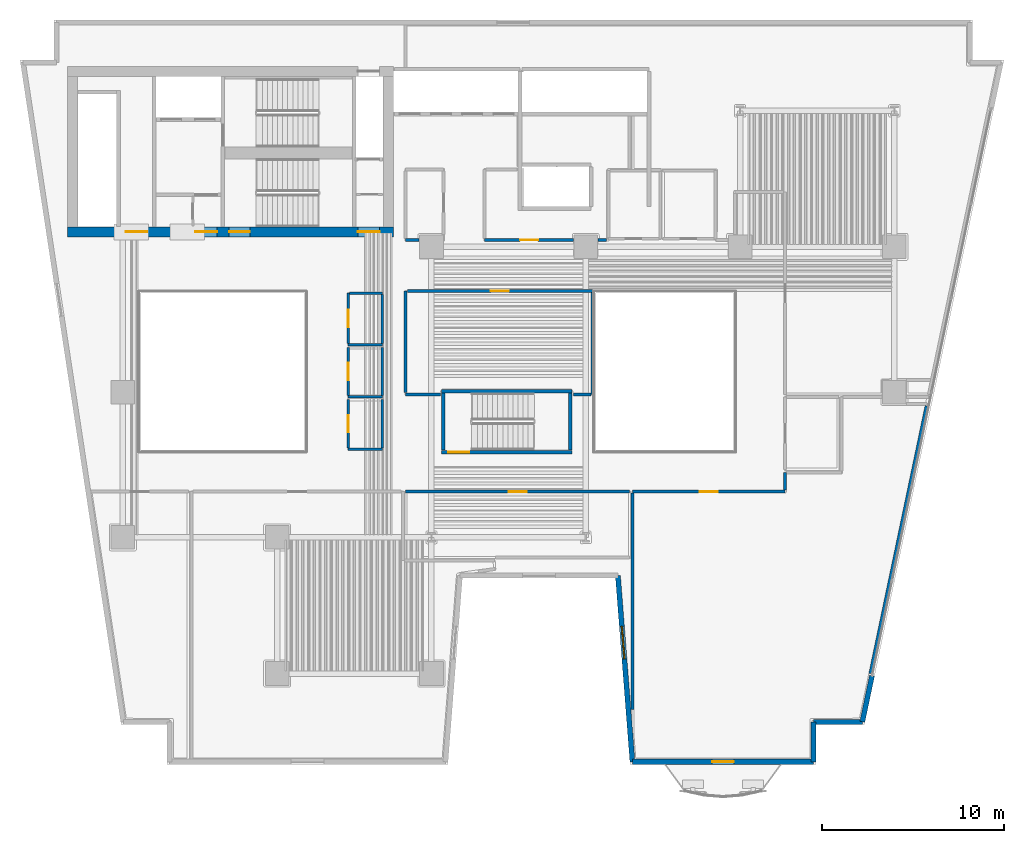
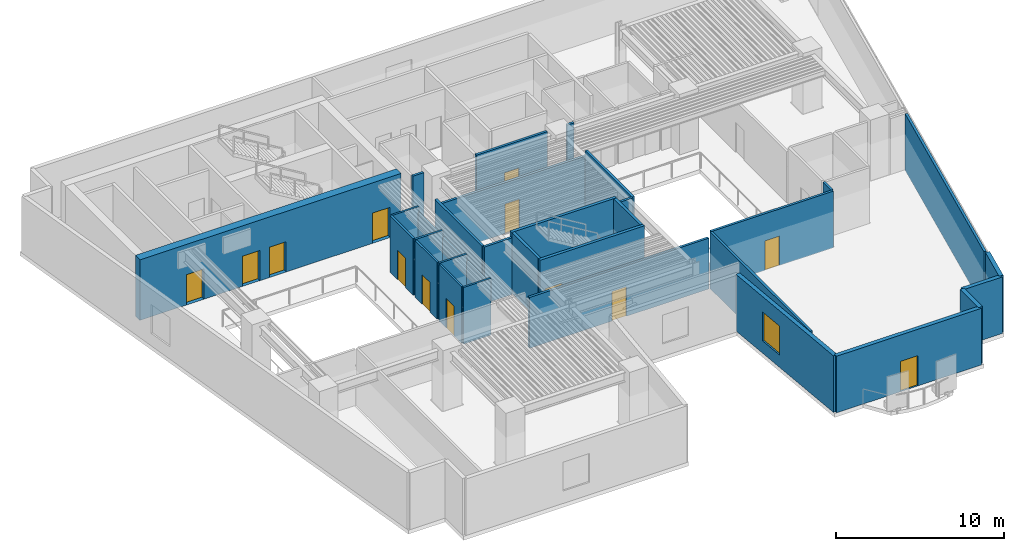
# One storey, part 4 of 12: 33 walls, 13 doors, 1 window, 14 openings.
"""IFC4 building model written with IfcOpenShell, lengths in metres."""

from ifc_helpers import new_model, si_unit, direction, frame, frame_2d, origin, place, context, subcontext, project, spatial, rectangle, extrude, material, layer, layer_set, type_object, element, fill, save


model = new_model("IFC4")

# Units and contexts
model_context = context("Model", 3, precision=1e-05, world=origin(), true_north=direction((0.0, 1.0)))
body_context = subcontext(model_context, "Body", "Model", "MODEL_VIEW")
ifc_project = project(units=[si_unit("LENGTHUNIT", "METRE"), si_unit("AREAUNIT", "SQUARE_METRE"), si_unit("VOLUMEUNIT", "CUBIC_METRE"), si_unit("PLANEANGLEUNIT", "RADIAN"), si_unit("MASSUNIT", "GRAM", prefix="KILO")], contexts=[model_context])

# Site, building, storey
site_placement = place(None, origin())
site = spatial("IfcSite", under=ifc_project, at=site_placement, CompositionType="ELEMENT")
building_placement = place(site_placement, origin())
building = spatial("IfcBuilding", under=site, at=building_placement, Name="Caeloran Harvest Quay", CompositionType="ELEMENT")
storey_placement = place(building_placement, frame((0.0, 0.0, 97.39990234375)))
storey = spatial("IfcBuildingStorey", under=building, at=storey_placement, Name="L22", CompositionType="ELEMENT", Elevation=97.39990234375)

# Walls
ifc_material_1 = material(Name="Precast concrete C50/60", Category="concrete")
ifc_layer_1 = layer(ifc_material_1, 0.280029296875, Name="Precast concrete C50/60")
ifc_layer_set_1 = layer_set([ifc_layer_1], Name="Precast concrete C50/60")
wall_type_1 = type_object("IfcWallType", Name="ENV-WALL-EW-280", PredefinedType="STANDARD", material=ifc_layer_set_1)
wall_1_placement = place(storey_placement, frame((49.77001953125, 7.384521484375, 0.0), z_axis=(0.0, 0.0, 1.0), x_axis=(-0.205551409765, -0.978646319128, 0.0)))
element("IfcWall", 1, at=wall_1_placement, inside=storey, type_object=wall_type_1, Name="L22 Exterior Facade Corner Pier Wall 9B", PredefinedType="STANDARD", context=body_context, shape_type="SweptSolid", body=[
    extrude(rectangle(XDim=2.599853515625, YDim=0.280029296875, at=frame_2d((1.2998046875, 0.0))), origin(), (0.0, 0.0, 1.0), 4.114990234375),
])
wall_2_placement = place(storey_placement, frame((49.235595703125, 4.840087890625, 0.0), z_axis=(0.0, 0.0, 1.0), x_axis=(-1.0, 0.0, 0.0)))
element("IfcWall", 2, at=wall_2_placement, inside=storey, type_object=wall_type_1, Name="L22 Exterior Precast Concrete Facade Wall 10", PredefinedType="STANDARD", context=body_context, shape_type="SweptSolid", body=[
    extrude(rectangle(XDim=2.6884765625, YDim=0.280029296875, at=frame_2d((1.34423828125, 0.0))), origin(), (0.0, 0.0, 1.0), 4.114990234375),
])
wall_3_placement = place(storey_placement, frame((46.547119140625, 4.840087890625, 0.0), z_axis=(0.0, 0.0, 1.0), x_axis=(0.0, -1.0, 0.0)))
element("IfcWall", 3, at=wall_3_placement, inside=storey, type_object=wall_type_1, Name="L22 Exterior Precast Concrete Facade Wall 11", PredefinedType="STANDARD", context=body_context, shape_type="SweptSolid", body=[
    extrude(rectangle(XDim=2.2001953125, YDim=0.280029296875, at=frame_2d((1.10009765625, 0.0))), origin(), (0.0, 0.0, 1.0), 4.114990234375),
])

# Wall, opening, door
wall_4_placement = place(storey_placement, frame((46.547119140625, 2.639892578125, 0.0), z_axis=(0.0, 0.0, 1.0), x_axis=(-1.0, 0.0, 0.0)))
wall_4 = element("IfcWall", 4, at=wall_4_placement, inside=storey, type_object=wall_type_1, Name="L22 Exterior Precast Concrete Facade Wall 12", PredefinedType="STANDARD", context=body_context, shape_type="SweptSolid", body=[
    extrude(rectangle(XDim=9.97705078125, YDim=0.280029296875, at=frame_2d((4.988525390625, 0.0))), origin(), (0.0, 0.0, 1.0), 4.114990234375),
])
opening_1_placement = place(wall_4_placement, frame((4.387939453125, 0.0, 0.0)))
opening_1 = element("IfcOpeningElement", 5, at=opening_1_placement, cuts=wall_4, Name="Opening BD-01", PredefinedType="OPENING", context=body_context, shape_type="SweptSolid", body=[
    extrude(rectangle(XDim=1.199951171875, YDim=2.199951171875, at=frame_2d((0.60009765625, 1.10009765625))), frame((0.0, 0.14990234375, 0.0), z_axis=(0.0, -1.0, 0.0), x_axis=(1.0, 0.0, 0.0)), (0.0, 0.0, 1.0), 0.300048828125),
])
ifc_material_2 = material(Name="Thermally Broken Powder-Coated Aluminium and Safety Glass", Category="aluminium")
door_type_1 = type_object("IfcDoorType", Name="EXTDOOR-BD-01", OperationType="NOTDEFINED", PredefinedType="DOOR", material=ifc_material_2)
door_1_placement = place(opening_1_placement, origin())
door_1 = element("IfcDoor", 6, at=door_1_placement, inside=storey, type_object=door_type_1, Name="L22 Planted Balcony Glazed Access Door", OperationType="SINGLE_SWING_LEFT", OverallHeight=2.199951171875, OverallWidth=1.199951171875, PredefinedType="DOOR", context=body_context, shape_type="SweptSolid", body=[
    extrude(rectangle(XDim=1.199951171875, YDim=2.199951171875, at=frame_2d((0.60009765625, 1.10009765625))), frame((0.0, 0.02490234375, 0.0), z_axis=(0.0, -1.0, 0.0), x_axis=(1.0, 0.0, 0.0)), (0.0, 0.0, 1.0), 0.050048828125),
])
fill(opening_1, door_1)

# Wall, opening, window
wall_5_placement = place(storey_placement, frame((36.570068359375, 2.639892578125, 0.0), z_axis=(0.0, 0.0, 1.0), x_axis=(-0.077816860153, 0.996967670627, 0.0)))
wall_5 = element("IfcWall", 7, at=wall_5_placement, inside=storey, type_object=wall_type_1, Name="L22 Exterior Precast Concrete Facade Wall 13", PredefinedType="STANDARD", context=body_context, shape_type="SweptSolid", body=[
    extrude(rectangle(XDim=10.28125, YDim=0.280029296875, at=frame_2d((5.140625, 0.0))), origin(), (0.0, 0.0, 1.0), 4.114990234375),
])
opening_2_placement = place(wall_5_placement, frame((5.679931640625, 0.0, 0.89990234375)))
opening_2 = element("IfcOpeningElement", 8, at=opening_2_placement, cuts=wall_5, Name="Opening W-01", PredefinedType="OPENING", context=body_context, shape_type="SweptSolid", body=[
    extrude(rectangle(XDim=1.800048828125, YDim=2.10009765625, at=frame_2d((0.89990234375, 1.050048828125))), frame((0.0, 0.14990234375, 0.0), z_axis=(0.0, -1.0, 0.0), x_axis=(1.0, 0.0, 0.0)), (0.0, 0.0, 1.0), 0.300048828125),
])
ifc_material_3 = material(Name="Aluminium-Framed Low-E Laminated Glass", Category="aluminium")
window_type = type_object("IfcWindowType", Name="WIN-W-01", PartitioningType="SINGLE_PANEL", PredefinedType="WINDOW", material=ifc_material_3)
window_placement = place(opening_2_placement, origin())
window = element("IfcWindow", 9, at=window_placement, inside=storey, type_object=window_type, Name="L22 Facade Punched Window W-01", OverallHeight=2.10009765625, OverallWidth=1.800048828125, PartitioningType="SINGLE_PANEL", PredefinedType="WINDOW", context=body_context, shape_type="SweptSolid", body=[
    extrude(rectangle(XDim=1.800048828125, YDim=2.10009765625, at=frame_2d((0.89990234375, 1.050048828125))), frame((0.0, 0.030029296875, 0.0), z_axis=(0.0, -1.0, 0.0), x_axis=(1.0, 0.0, 0.0)), (0.0, 0.0, 1.0), 0.06005859375),
])
fill(opening_2, window)

# Wall
ifc_material_4 = material(Name="Moisture-Resistant Cement-Board Sanitary Partition", Category="gypsum")
ifc_layer_2 = layer(ifc_material_4, 0.139892578125, Name="Moisture-Resistant Cement-Board Sanitary Partition")
ifc_layer_set_2 = layer_set([ifc_layer_2], Name="Moisture-Resistant Cement-Board Sanitary Partition")
wall_type_2 = type_object("IfcWallType", Name="INT-WALL-PW-140", PredefinedType="PARTITIONING", material=ifc_layer_set_2)
wall_6_placement = place(storey_placement, frame((22.800048828125, 25.60009765625, 0.0), z_axis=(0.0, 0.0, 1.0), x_axis=(-1.0, 0.0, 0.0)))
element("IfcWall", 10, at=wall_6_placement, inside=storey, type_object=wall_type_2, Name="L22 Male Washroom WC Partition Wall", PredefinedType="PARTITIONING", context=body_context, shape_type="SweptSolid", body=[
    extrude(rectangle(XDim=1.89013671875, YDim=0.139892578125, at=frame_2d((0.945068359375, 0.0))), origin(), (0.0, 0.0, 1.0), 4.114990234375),
])

# Wall, opening, door
wall_7_placement = place(storey_placement, frame((20.909912109375, 25.675048828125, 0.0), z_axis=(0.0, 0.0, 1.0), x_axis=(0.0, 1.0, 0.0)))
wall_7 = element("IfcWall", 11, at=wall_7_placement, inside=storey, type_object=wall_type_2, Name="L22 Male Washroom WC Partition Wall", PredefinedType="PARTITIONING", context=body_context, shape_type="SweptSolid", body=[
    extrude(rectangle(XDim=2.77490234375, YDim=0.139892578125, at=frame_2d((1.387451171875, 0.0))), origin(), (0.0, 0.0, 1.0), 4.114990234375),
])
opening_3_placement = place(wall_7_placement, frame((0.91259765625, 0.0, 0.0)))
opening_3 = element("IfcOpeningElement", 12, at=opening_3_placement, cuts=wall_7, Name="Opening WC-01", PredefinedType="OPENING", context=body_context, shape_type="SweptSolid", body=[
    extrude(rectangle(XDim=0.949951171875, YDim=2.14990234375, at=frame_2d((0.47509765625, 1.074951171875))), frame((0.0, 0.080078125, 0.0), z_axis=(0.0, -1.0, 0.0), x_axis=(1.0, 0.0, 0.0)), (0.0, 0.0, 1.0), 0.159912109375),
])
ifc_material_5 = material(Name="High-Pressure Laminate Moisture-Resistant Timber", Category="wood")
door_type_2 = type_object("IfcDoorType", Name="INTDOOR-WC-01", OperationType="NOTDEFINED", PredefinedType="DOOR", material=ifc_material_5)
door_2_placement = place(opening_3_placement, origin())
door_2 = element("IfcDoor", 13, at=door_2_placement, inside=storey, type_object=door_type_2, Name="L22 Male Washroom WC Access Door", OperationType="SINGLE_SWING_RIGHT", OverallHeight=2.14990234375, OverallWidth=0.949951171875, PredefinedType="DOOR", context=body_context, shape_type="SweptSolid", body=[
    extrude(rectangle(XDim=0.949951171875, YDim=2.14990234375, at=frame_2d((0.47509765625, 1.074951171875))), frame((0.0, 0.02490234375, 0.0), z_axis=(0.0, -1.0, 0.0), x_axis=(1.0, 0.0, 0.0)), (0.0, 0.0, 1.0), 0.050048828125),
])
fill(opening_3, door_2)

# Walls
wall_8_placement = place(storey_placement, frame((20.985107421875, 28.449951171875, 0.0), z_axis=(0.0, 0.0, 1.0), x_axis=(1.0, 0.0, 0.0)))
element("IfcWall", 14, at=wall_8_placement, inside=storey, type_object=wall_type_2, Name="L22 Male Washroom WC Partition Wall", PredefinedType="PARTITIONING", context=body_context, shape_type="SweptSolid", body=[
    extrude(rectangle(XDim=1.81494140625, YDim=0.139892578125, at=frame_2d((0.907470703125, 0.0))), origin(), (0.0, 0.0, 1.0), 4.114990234375),
])
wall_9_placement = place(storey_placement, frame((22.800048828125, 28.375, 0.0), z_axis=(0.0, 0.0, 1.0), x_axis=(0.0, -1.0, 0.0)))
element("IfcWall", 15, at=wall_9_placement, inside=storey, type_object=wall_type_2, Name="L22 Male Washroom WC Partition Wall", PredefinedType="PARTITIONING", context=body_context, shape_type="SweptSolid", body=[
    extrude(rectangle(XDim=2.699951171875, YDim=0.139892578125, at=frame_2d((1.35009765625, 0.0))), origin(), (0.0, 0.0, 1.0), 3.7001953125),
])
wall_10_placement = place(storey_placement, frame((22.800048828125, 22.75, 0.0), z_axis=(0.0, 0.0, 1.0), x_axis=(-1.0, 0.0, 0.0)))
element("IfcWall", 16, at=wall_10_placement, inside=storey, type_object=wall_type_2, Name="L22 Female Washroom WC Partition Wall", PredefinedType="PARTITIONING", context=body_context, shape_type="SweptSolid", body=[
    extrude(rectangle(XDim=1.89013671875, YDim=0.139892578125, at=frame_2d((0.945068359375, 0.0))), origin(), (0.0, 0.0, 1.0), 4.114990234375),
])

# Wall, opening, door
wall_11_placement = place(storey_placement, frame((20.909912109375, 22.824951171875, 0.0), z_axis=(0.0, 0.0, 1.0), x_axis=(0.0, 1.0, 0.0)))
wall_11 = element("IfcWall", 17, at=wall_11_placement, inside=storey, type_object=wall_type_2, Name="L22 Female Washroom WC Partition Wall", PredefinedType="PARTITIONING", context=body_context, shape_type="SweptSolid", body=[
    extrude(rectangle(XDim=2.625, YDim=0.139892578125, at=frame_2d((1.3125, 0.0))), origin(), (0.0, 0.0, 1.0), 4.114990234375),
])
opening_4_placement = place(wall_11_placement, frame((0.83740234375, 0.0, 0.0)))
opening_4 = element("IfcOpeningElement", 18, at=opening_4_placement, cuts=wall_11, Name="Opening WC-01", PredefinedType="OPENING", context=body_context, shape_type="SweptSolid", body=[
    extrude(rectangle(XDim=0.949951171875, YDim=2.14990234375, at=frame_2d((0.47509765625, 1.074951171875))), frame((0.0, 0.080078125, 0.0), z_axis=(0.0, -1.0, 0.0), x_axis=(1.0, 0.0, 0.0)), (0.0, 0.0, 1.0), 0.159912109375),
])
door_3_placement = place(opening_4_placement, origin())
door_3 = element("IfcDoor", 19, at=door_3_placement, inside=storey, type_object=door_type_2, Name="L22 Female Washroom WC Access Door", OperationType="SINGLE_SWING_LEFT", OverallHeight=2.14990234375, OverallWidth=0.949951171875, PredefinedType="DOOR", context=body_context, shape_type="SweptSolid", body=[
    extrude(rectangle(XDim=0.949951171875, YDim=2.14990234375, at=frame_2d((0.47509765625, 1.074951171875))), frame((0.0, 0.02490234375, 0.0), z_axis=(0.0, -1.0, 0.0), x_axis=(1.0, 0.0, 0.0)), (0.0, 0.0, 1.0), 0.050048828125),
])
fill(opening_4, door_3)

# Walls
wall_12_placement = place(storey_placement, frame((22.800048828125, 25.449951171875, 0.0), z_axis=(0.0, 0.0, 1.0), x_axis=(0.0, -1.0, 0.0)))
element("IfcWall", 20, at=wall_12_placement, inside=storey, type_object=wall_type_2, Name="L22 Female Washroom WC Partition Wall", PredefinedType="PARTITIONING", context=body_context, shape_type="SweptSolid", body=[
    extrude(rectangle(XDim=2.625, YDim=0.139892578125, at=frame_2d((1.3125, 0.0))), origin(), (0.0, 0.0, 1.0), 3.7001953125),
])
wall_13_placement = place(storey_placement, frame((22.800048828125, 19.85009765625, 0.0), z_axis=(0.0, 0.0, 1.0), x_axis=(-1.0, 0.0, 0.0)))
element("IfcWall", 21, at=wall_13_placement, inside=storey, type_object=wall_type_2, Name="L22 Accessible Unisex Washroom WC Partition Wall", PredefinedType="PARTITIONING", context=body_context, shape_type="SweptSolid", body=[
    extrude(rectangle(XDim=1.89013671875, YDim=0.139892578125, at=frame_2d((0.945068359375, 0.0))), origin(), (0.0, 0.0, 1.0), 4.114990234375),
])

# Wall, opening, door
wall_14_placement = place(storey_placement, frame((20.909912109375, 19.925048828125, 0.0), z_axis=(0.0, 0.0, 1.0), x_axis=(0.0, 1.0, 0.0)))
wall_14 = element("IfcWall", 22, at=wall_14_placement, inside=storey, type_object=wall_type_2, Name="L22 Accessible Unisex Washroom WC Partition Wall", PredefinedType="PARTITIONING", context=body_context, shape_type="SweptSolid", body=[
    extrude(rectangle(XDim=2.675048828125, YDim=0.139892578125, at=frame_2d((1.33740234375, 0.0))), origin(), (0.0, 0.0, 1.0), 4.114990234375),
])
opening_5_placement = place(wall_14_placement, frame((0.862548828125, 0.0, 0.0)))
opening_5 = element("IfcOpeningElement", 23, at=opening_5_placement, cuts=wall_14, Name="Opening WC-01", PredefinedType="OPENING", context=body_context, shape_type="SweptSolid", body=[
    extrude(rectangle(XDim=0.949951171875, YDim=2.14990234375, at=frame_2d((0.47509765625, 1.074951171875))), frame((0.0, 0.080078125, 0.0), z_axis=(0.0, -1.0, 0.0), x_axis=(1.0, 0.0, 0.0)), (0.0, 0.0, 1.0), 0.159912109375),
])
door_4_placement = place(opening_5_placement, origin())
door_4 = element("IfcDoor", 24, at=door_4_placement, inside=storey, type_object=door_type_2, Name="L22 Accessible Unisex Washroom WC Access Door", OperationType="SINGLE_SWING_RIGHT", OverallHeight=2.14990234375, OverallWidth=0.949951171875, PredefinedType="DOOR", context=body_context, shape_type="SweptSolid", body=[
    extrude(rectangle(XDim=0.949951171875, YDim=2.14990234375, at=frame_2d((0.47509765625, 1.074951171875))), frame((0.0, 0.02490234375, 0.0), z_axis=(0.0, -1.0, 0.0), x_axis=(1.0, 0.0, 0.0)), (0.0, 0.0, 1.0), 0.050048828125),
])
fill(opening_5, door_4)

# Wall
wall_15_placement = place(storey_placement, frame((22.800048828125, 22.60009765625, 0.0), z_axis=(0.0, 0.0, 1.0), x_axis=(0.0, -1.0, 0.0)))
element("IfcWall", 25, at=wall_15_placement, inside=storey, type_object=wall_type_2, Name="L22 Accessible Unisex Washroom WC Partition Wall", PredefinedType="PARTITIONING", context=body_context, shape_type="SweptSolid", body=[
    extrude(rectangle(XDim=2.675048828125, YDim=0.139892578125, at=frame_2d((1.33740234375, 0.0))), origin(), (0.0, 0.0, 1.0), 3.7001953125),
])

# Wall, opening, door
ifc_material_6 = material(Name="Autoclaved Aerated Concrete Blockwork", Category="masonry")
ifc_layer_3 = layer(ifc_material_6, 0.1650390625, Name="Autoclaved Aerated Concrete Blockwork")
ifc_layer_set_3 = layer_set([ifc_layer_3], Name="Autoclaved Aerated Concrete Blockwork")
wall_type_3 = type_object("IfcWallType", Name="INT-WALL-PW-165", PredefinedType="PARTITIONING", material=ifc_layer_set_3)
wall_16_placement = place(storey_placement, frame((36.580078125, 17.52001953125, 0.0), z_axis=(0.0, 0.0, 1.0), x_axis=(1.0, 0.0, 0.0)))
wall_16 = element("IfcWall", 26, at=wall_16_placement, inside=storey, type_object=wall_type_3, Name="Biophilic Architecture Atelier Partition Wall", PredefinedType="PARTITIONING", context=body_context, shape_type="SweptSolid", body=[
    extrude(rectangle(XDim=8.39990234375, YDim=0.1650390625, at=frame_2d((4.199951171875, 0.0))), origin(), (0.0, 0.0, 1.0), 4.114990234375),
])
opening_6_placement = place(wall_16_placement, frame((3.699951171875, 0.0, 0.0)))
opening_6 = element("IfcOpeningElement", 27, at=opening_6_placement, cuts=wall_16, Name="Opening ID-01", PredefinedType="OPENING", context=body_context, shape_type="SweptSolid", body=[
    extrude(rectangle(XDim=1.0, YDim=2.14990234375, at=frame_2d((0.5, 1.074951171875))), frame((0.0, 0.092529296875, 0.0), z_axis=(0.0, -1.0, 0.0), x_axis=(1.0, 0.0, 0.0)), (0.0, 0.0, 1.0), 0.18505859375),
])
ifc_material_7 = material(Name="FSC Solid-Core Ash Timber and Acoustic Seal", Category="wood")
door_type_3 = type_object("IfcDoorType", Name="INTDOOR-ID-01", OperationType="NOTDEFINED", PredefinedType="DOOR", material=ifc_material_7)
door_5_placement = place(opening_6_placement, origin())
door_5 = element("IfcDoor", 28, at=door_5_placement, inside=storey, type_object=door_type_3, Name="Biophilic Architecture Atelier Access Door", OperationType="SINGLE_SWING_LEFT", OverallHeight=2.14990234375, OverallWidth=1.0, PredefinedType="DOOR", context=body_context, shape_type="SweptSolid", body=[
    extrude(rectangle(XDim=1.0, YDim=2.14990234375, at=frame_2d((0.5, 1.074951171875))), frame((0.0, 0.02490234375, 0.0), z_axis=(0.0, -1.0, 0.0), x_axis=(1.0, 0.0, 0.0)), (0.0, 0.0, 1.0), 0.050048828125),
])
fill(opening_6, door_5)

# Walls
wall_17_placement = place(storey_placement, frame((44.97998046875, 17.607421875, 0.0), z_axis=(0.0, 0.0, 1.0), x_axis=(0.0, 1.0, 0.0)))
element("IfcWall", 29, at=wall_17_placement, inside=storey, type_object=wall_type_3, Name="Biophilic Architecture Atelier Partition Wall", PredefinedType="PARTITIONING", context=body_context, shape_type="SweptSolid", body=[
    extrude(rectangle(XDim=0.962646484375, YDim=0.1650390625, at=frame_2d((0.4814453125, 0.0))), origin(), (0.0, 0.0, 1.0), 4.114990234375),
])
wall_18_placement = place(storey_placement, frame((52.769775390625, 22.24755859375, 0.0), z_axis=(0.0, 0.0, 1.0), x_axis=(-0.205582566906, -0.978639774475, 0.0)))
element("IfcWall", 30, at=wall_18_placement, inside=storey, type_object=wall_type_3, Name="Biophilic Architecture Atelier Partition Wall", PredefinedType="PARTITIONING", context=body_context, shape_type="SweptSolid", body=[
    extrude(rectangle(XDim=15.067626953125, YDim=0.1650390625, at=frame_2d((7.53369140625, 0.0))), origin(), (0.0, 0.0, 1.0), 4.114990234375),
])
wall_19_placement = place(storey_placement, frame((36.580078125, 5.525390625, 0.0), z_axis=(0.0, 0.0, 1.0), x_axis=(0.0, 1.0, 0.0)))
element("IfcWall", 31, at=wall_19_placement, inside=storey, type_object=wall_type_3, Name="Biophilic Architecture Atelier Partition Wall", PredefinedType="PARTITIONING", context=body_context, shape_type="SweptSolid", body=[
    extrude(rectangle(XDim=11.9072265625, YDim=0.1650390625, at=frame_2d((5.95361328125, 0.0))), origin(), (0.0, 0.0, 1.0), 4.114990234375),
])

# Wall, opening, door
wall_20_placement = place(storey_placement, frame((24.080078125, 17.52001953125, 0.0), z_axis=(0.0, 0.0, 1.0), x_axis=(1.0, 0.0, 0.0)))
wall_20 = element("IfcWall", 32, at=wall_20_placement, inside=storey, type_object=wall_type_3, Name="Client Briefing Conference Room Partition Wall", PredefinedType="PARTITIONING", context=body_context, shape_type="SweptSolid", body=[
    extrude(rectangle(XDim=12.33984375, YDim=0.1650390625, at=frame_2d((6.169921875, 0.0))), origin(), (0.0, 0.0, 1.0), 3.7001953125),
])
opening_7_placement = place(wall_20_placement, frame((5.669921875, 0.0, 0.0)))
opening_7 = element("IfcOpeningElement", 33, at=opening_7_placement, cuts=wall_20, Name="Opening ID-01", PredefinedType="OPENING", context=body_context, shape_type="SweptSolid", body=[
    extrude(rectangle(XDim=1.0, YDim=2.14990234375, at=frame_2d((0.5, 1.074951171875))), frame((0.0, 0.092529296875, 0.0), z_axis=(0.0, -1.0, 0.0), x_axis=(1.0, 0.0, 0.0)), (0.0, 0.0, 1.0), 0.18505859375),
])
door_6_placement = place(opening_7_placement, origin())
door_6 = element("IfcDoor", 34, at=door_6_placement, inside=storey, type_object=door_type_3, Name="Client Briefing Conference Room Access Door", OperationType="SINGLE_SWING_RIGHT", OverallHeight=2.14990234375, OverallWidth=1.0, PredefinedType="DOOR", context=body_context, shape_type="SweptSolid", body=[
    extrude(rectangle(XDim=1.0, YDim=2.14990234375, at=frame_2d((0.5, 1.074951171875))), frame((0.0, 0.02490234375, 0.0), z_axis=(0.0, -1.0, 0.0), x_axis=(1.0, 0.0, 0.0)), (0.0, 0.0, 1.0), 0.050048828125),
])
fill(opening_7, door_6)

# Walls
wall_21_placement = place(storey_placement, frame((25.98681640625, 22.8798828125, 0.0), z_axis=(0.0, 0.0, 1.0), x_axis=(-1.0, 0.0, 0.0)))
element("IfcWall", 35, at=wall_21_placement, inside=storey, type_object=wall_type_3, Name="Botanical Sketch Studio Partition Wall", PredefinedType="PARTITIONING", context=body_context, shape_type="SweptSolid", body=[
    extrude(rectangle(XDim=1.90673828125, YDim=0.1650390625, at=frame_2d((0.953369140625, 0.0))), origin(), (0.0, 0.0, 1.0), 4.114990234375),
])
wall_22_placement = place(storey_placement, frame((24.080078125, 22.967529296875, 0.0), z_axis=(0.0, 0.0, 1.0), x_axis=(0.0, 1.0, 0.0)))
element("IfcWall", 36, at=wall_22_placement, inside=storey, type_object=wall_type_3, Name="Botanical Sketch Studio Partition Wall", PredefinedType="PARTITIONING", context=body_context, shape_type="SweptSolid", body=[
    extrude(rectangle(XDim=5.6025390625, YDim=0.1650390625, at=frame_2d((2.80126953125, 0.0))), origin(), (0.0, 0.0, 1.0), 4.114990234375),
])

# Wall, opening, door
wall_23_placement = place(storey_placement, frame((24.16748046875, 28.570068359375, 0.0), z_axis=(0.0, 0.0, 1.0), x_axis=(1.0, 0.0, 0.0)))
wall_23 = element("IfcWall", 37, at=wall_23_placement, inside=storey, type_object=wall_type_3, Name="Botanical Sketch Studio Partition Wall", PredefinedType="PARTITIONING", context=body_context, shape_type="SweptSolid", body=[
    extrude(rectangle(XDim=10.20263671875, YDim=0.1650390625, at=frame_2d((5.101318359375, 0.0))), origin(), (0.0, 0.0, 1.0), 3.7001953125),
])
opening_8_placement = place(wall_23_placement, frame((4.601318359375, 0.0, 0.0)))
opening_8 = element("IfcOpeningElement", 38, at=opening_8_placement, cuts=wall_23, Name="Opening ID-01", PredefinedType="OPENING", context=body_context, shape_type="SweptSolid", body=[
    extrude(rectangle(XDim=1.0, YDim=2.14990234375, at=frame_2d((0.5, 1.074951171875))), frame((0.0, 0.092529296875, 0.0), z_axis=(0.0, -1.0, 0.0), x_axis=(1.0, 0.0, 0.0)), (0.0, 0.0, 1.0), 0.18505859375),
])
door_7_placement = place(opening_8_placement, origin())
door_7 = element("IfcDoor", 39, at=door_7_placement, inside=storey, type_object=door_type_3, Name="Botanical Sketch Studio Access Door", OperationType="SINGLE_SWING_RIGHT", OverallHeight=2.14990234375, OverallWidth=1.0, PredefinedType="DOOR", context=body_context, shape_type="SweptSolid", body=[
    extrude(rectangle(XDim=1.0, YDim=2.14990234375, at=frame_2d((0.5, 1.074951171875))), frame((0.0, 0.02490234375, 0.0), z_axis=(0.0, -1.0, 0.0), x_axis=(1.0, 0.0, 0.0)), (0.0, 0.0, 1.0), 0.050048828125),
])
fill(opening_8, door_7)

# Walls
wall_24_placement = place(storey_placement, frame((34.3701171875, 28.482421875, 0.0), z_axis=(0.0, 0.0, 1.0), x_axis=(0.0, -1.0, 0.0)))
element("IfcWall", 40, at=wall_24_placement, inside=storey, type_object=wall_type_3, Name="Botanical Sketch Studio Partition Wall", PredefinedType="PARTITIONING", context=body_context, shape_type="SweptSolid", body=[
    extrude(rectangle(XDim=5.6025390625, YDim=0.1650390625, at=frame_2d((2.80126953125, 0.0))), origin(), (0.0, 0.0, 1.0), 4.114990234375),
])
wall_25_placement = place(storey_placement, frame((34.282470703125, 22.8798828125, 0.0), z_axis=(0.0, 0.0, 1.0), x_axis=(-1.0, 0.0, 0.0)))
element("IfcWall", 41, at=wall_25_placement, inside=storey, type_object=wall_type_3, Name="Botanical Sketch Studio Partition Wall", PredefinedType="PARTITIONING", context=body_context, shape_type="SweptSolid", body=[
    extrude(rectangle(XDim=0.96923828125, YDim=0.1650390625, at=frame_2d((0.484619140625, 0.0))), origin(), (0.0, 0.0, 1.0), 4.114990234375),
])
wall_26_placement = place(storey_placement, frame((24.824951171875, 31.3798828125, 0.0), z_axis=(0.0, 0.0, 1.0), x_axis=(-1.0, 0.0, 0.0)))
element("IfcWall", 42, at=wall_26_placement, inside=storey, type_object=wall_type_3, Name="Partner Boardroom Partition Wall", PredefinedType="PARTITIONING", context=body_context, shape_type="SweptSolid", body=[
    extrude(rectangle(XDim=0.744873046875, YDim=0.1650390625, at=frame_2d((0.37255859375, 0.0))), origin(), (0.0, 0.0, 1.0), 4.114990234375),
])
wall_27_placement = place(storey_placement, frame((35.155517578125, 31.3798828125, 0.0), z_axis=(0.0, 0.0, 1.0), x_axis=(-1.0, 0.0, 0.0)))
element("IfcWall", 43, at=wall_27_placement, inside=storey, type_object=wall_type_3, Name="Executive Agronomy Design Studio 8 Partition Wall", PredefinedType="PARTITIONING", context=body_context, shape_type="SweptSolid", body=[
    extrude(rectangle(XDim=0.48046875, YDim=0.1650390625, at=frame_2d((0.240234375, 0.0))), origin(), (0.0, 0.0, 1.0), 4.114990234375),
])

# Wall, opening, door
wall_28_placement = place(storey_placement, frame((33.324951171875, 31.3798828125, 0.0), z_axis=(0.0, 0.0, 1.0), x_axis=(-1.0, 0.0, 0.0)))
wall_28 = element("IfcWall", 44, at=wall_28_placement, inside=storey, type_object=wall_type_3, Name="Executive Agronomy Design Studio 8 Partition Wall", PredefinedType="PARTITIONING", context=body_context, shape_type="SweptSolid", body=[
    extrude(rectangle(XDim=4.89501953125, YDim=0.1650390625, at=frame_2d((2.447509765625, 0.0))), origin(), (0.0, 0.0, 1.0), 4.114990234375),
])
opening_9_placement = place(wall_28_placement, frame((1.947509765625, 0.0, 0.0)))
opening_9 = element("IfcOpeningElement", 45, at=opening_9_placement, cuts=wall_28, Name="Opening ID-01", PredefinedType="OPENING", context=body_context, shape_type="SweptSolid", body=[
    extrude(rectangle(XDim=1.0, YDim=2.14990234375, at=frame_2d((0.5, 1.074951171875))), frame((0.0, 0.092529296875, 0.0), z_axis=(0.0, -1.0, 0.0), x_axis=(1.0, 0.0, 0.0)), (0.0, 0.0, 1.0), 0.18505859375),
])
door_8_placement = place(opening_9_placement, origin())
door_8 = element("IfcDoor", 46, at=door_8_placement, inside=storey, type_object=door_type_3, Name="Executive Agronomy Design Studio 8 Access Door", OperationType="SINGLE_SWING_RIGHT", OverallHeight=2.14990234375, OverallWidth=1.0, PredefinedType="DOOR", context=body_context, shape_type="SweptSolid", body=[
    extrude(rectangle(XDim=1.0, YDim=2.14990234375, at=frame_2d((0.5, 1.074951171875))), frame((0.0, 0.02490234375, 0.0), z_axis=(0.0, -1.0, 0.0), x_axis=(1.0, 0.0, 0.0)), (0.0, 0.0, 1.0), 0.050048828125),
])
fill(opening_9, door_8)

# Wall, openings, doors
ifc_material_8 = material(Name="Concrete C80/95", Category="concrete")
ifc_layer_4 = layer(ifc_material_8, 0.550048828125, Name="Concrete C80/95")
ifc_layer_set_4 = layer_set([ifc_layer_4], Name="Concrete C80/95")
wall_type_4 = type_object("IfcWallType", Name="STR-WALL-CW-550", PredefinedType="SHEAR", material=ifc_layer_set_4)
wall_29_placement = place(storey_placement, frame((5.449951171875, 31.824951171875, 0.0), z_axis=(0.0, 0.0, 1.0), x_axis=(1.0, 0.0, 0.0)))
wall_29 = element("IfcWall", 47, at=wall_29_placement, inside=storey, type_object=wall_type_4, Name="L22 Rear Core Shear Wall S", PredefinedType="SHEAR", context=body_context, shape_type="SweptSolid", body=[
    extrude(rectangle(XDim=17.949951171875, YDim=0.550048828125, at=frame_2d((8.97509765625, 0.0))), origin(), (0.0, 0.0, 1.0), 4.400146484375),
])
opening_10_placement = place(wall_29_placement, frame((3.199951171875, 0.0, 0.0)))
opening_10 = element("IfcOpeningElement", 48, at=opening_10_placement, cuts=wall_29, Name="Opening FD-01", PredefinedType="OPENING", context=body_context, shape_type="SweptSolid", body=[
    extrude(rectangle(XDim=1.199951171875, YDim=2.199951171875, at=frame_2d((0.60009765625, 1.10009765625))), frame((0.0, 0.28515625, 0.0), z_axis=(0.0, -1.0, 0.0), x_axis=(1.0, 0.0, 0.0)), (0.0, 0.0, 1.0), 0.570068359375),
])
opening_11_placement = place(wall_29_placement, frame((7.050048828125, 0.0, 0.0)))
opening_11 = element("IfcOpeningElement", 49, at=opening_11_placement, cuts=wall_29, Name="Opening FD-01", PredefinedType="OPENING", context=body_context, shape_type="SweptSolid", body=[
    extrude(rectangle(XDim=1.199951171875, YDim=2.199951171875, at=frame_2d((0.60009765625, 1.10009765625))), frame((0.0, 0.28515625, 0.0), z_axis=(0.0, -1.0, 0.0), x_axis=(1.0, 0.0, 0.0)), (0.0, 0.0, 1.0), 0.570068359375),
])
opening_12_placement = place(wall_29_placement, frame((8.89990234375, 0.0, 0.0)))
opening_12 = element("IfcOpeningElement", 50, at=opening_12_placement, cuts=wall_29, Name="Opening SD-01", PredefinedType="OPENING", context=body_context, shape_type="SweptSolid", body=[
    extrude(rectangle(XDim=1.14990234375, YDim=2.199951171875, at=frame_2d((0.574951171875, 1.10009765625))), frame((0.0, 0.28515625, 0.0), z_axis=(0.0, -1.0, 0.0), x_axis=(1.0, 0.0, 0.0)), (0.0, 0.0, 1.0), 0.570068359375),
])
opening_13_placement = place(wall_29_placement, frame((16.0, 0.0, 0.0)))
opening_13 = element("IfcOpeningElement", 51, at=opening_13_placement, cuts=wall_29, Name="Opening FD-01", PredefinedType="OPENING", context=body_context, shape_type="SweptSolid", body=[
    extrude(rectangle(XDim=1.199951171875, YDim=2.199951171875, at=frame_2d((0.60009765625, 1.10009765625))), frame((0.0, 0.28515625, 0.0), z_axis=(0.0, -1.0, 0.0), x_axis=(1.0, 0.0, 0.0)), (0.0, 0.0, 1.0), 0.570068359375),
])
ifc_material_9 = material(Name="Steel", Category="steel")
door_type_4 = type_object("IfcDoorType", Name="INTDOOR-FD-01", OperationType="NOTDEFINED", PredefinedType="DOOR", material=ifc_material_9)
door_9_placement = place(opening_10_placement, origin())
door_9 = element("IfcDoor", 52, at=door_9_placement, inside=storey, type_object=door_type_4, Name="L22 High-Rise Lift Lobby Fire Door", OperationType="SINGLE_SWING_RIGHT", OverallHeight=2.199951171875, OverallWidth=1.199951171875, PredefinedType="DOOR", context=body_context, shape_type="SweptSolid", body=[
    extrude(rectangle(XDim=1.199951171875, YDim=2.199951171875, at=frame_2d((0.60009765625, 1.10009765625))), frame((0.0, 0.02490234375, 0.0), z_axis=(0.0, -1.0, 0.0), x_axis=(1.0, 0.0, 0.0)), (0.0, 0.0, 1.0), 0.050048828125),
])
fill(opening_10, door_9)
door_10_placement = place(opening_11_placement, origin())
door_10 = element("IfcDoor", 53, at=door_10_placement, inside=storey, type_object=door_type_4, Name="L22 Firefighting Lobby Vestibule Fire Door", OperationType="SINGLE_SWING_LEFT", OverallHeight=2.199951171875, OverallWidth=1.199951171875, PredefinedType="DOOR", context=body_context, shape_type="SweptSolid", body=[
    extrude(rectangle(XDim=1.199951171875, YDim=2.199951171875, at=frame_2d((0.60009765625, 1.10009765625))), frame((0.0, 0.02490234375, 0.0), z_axis=(0.0, -1.0, 0.0), x_axis=(1.0, 0.0, 0.0)), (0.0, 0.0, 1.0), 0.050048828125),
])
fill(opening_11, door_10)
door_11_placement = place(opening_13_placement, origin())
door_11 = element("IfcDoor", 54, at=door_11_placement, inside=storey, type_object=door_type_4, Name="L22 Service Lift Lobby Fire Door", OperationType="SINGLE_SWING_LEFT", OverallHeight=2.199951171875, OverallWidth=1.199951171875, PredefinedType="DOOR", context=body_context, shape_type="SweptSolid", body=[
    extrude(rectangle(XDim=1.199951171875, YDim=2.199951171875, at=frame_2d((0.60009765625, 1.10009765625))), frame((0.0, 0.02490234375, 0.0), z_axis=(0.0, -1.0, 0.0), x_axis=(1.0, 0.0, 0.0)), (0.0, 0.0, 1.0), 0.050048828125),
])
fill(opening_13, door_11)
door_type_5 = type_object("IfcDoorType", Name="INTDOOR-SD-01", OperationType="NOTDEFINED", PredefinedType="DOOR", material=ifc_material_9)
door_12_placement = place(opening_12_placement, origin())
door_12 = element("IfcDoor", 55, at=door_12_placement, inside=storey, type_object=door_type_5, Name="L22 Protected Stair ST-C2 Exit Door", OperationType="SINGLE_SWING_RIGHT", OverallHeight=2.199951171875, OverallWidth=1.14990234375, PredefinedType="DOOR", context=body_context, shape_type="SweptSolid", body=[
    extrude(rectangle(XDim=1.14990234375, YDim=2.199951171875, at=frame_2d((0.574951171875, 1.10009765625))), frame((0.0, 0.02490234375, 0.0), z_axis=(0.0, -1.0, 0.0), x_axis=(1.0, 0.0, 0.0)), (0.0, 0.0, 1.0), 0.050048828125),
])
fill(opening_12, door_12)

# Wall, opening, door
ifc_material_10 = material(Name="Concrete C60/75", Category="concrete")
ifc_layer_5 = layer(ifc_material_10, 0.199951171875, Name="Concrete C60/75")
ifc_layer_set_5 = layer_set([ifc_layer_5], Name="Concrete C60/75")
wall_type_5 = type_object("IfcWallType", Name="STR-WALL-SW-200", PredefinedType="SHEAR", material=ifc_layer_set_5)
wall_30_placement = place(storey_placement, frame((26.050048828125, 19.699951171875, 0.0), z_axis=(0.0, 0.0, 1.0), x_axis=(1.0, 0.0, 0.0)))
wall_30 = element("IfcWall", 56, at=wall_30_placement, inside=storey, type_object=wall_type_5, Name="L22 Stair ST-W1 S RC Shaft Shear Wall", PredefinedType="SHEAR", context=body_context, shape_type="SweptSolid", body=[
    extrude(rectangle(XDim=7.199951171875, YDim=0.199951171875, at=frame_2d((3.60009765625, 0.0))), origin(), (0.0, 0.0, 1.0), 4.400146484375),
])
opening_14_placement = place(wall_30_placement, frame((0.3798828125, 0.0, 0.0)))
opening_14 = element("IfcOpeningElement", 57, at=opening_14_placement, cuts=wall_30, Name="Opening SD-01", PredefinedType="OPENING", context=body_context, shape_type="SweptSolid", body=[
    extrude(rectangle(XDim=1.14990234375, YDim=2.199951171875, at=frame_2d((0.574951171875, 1.10009765625))), frame((0.0, 0.10986328125, 0.0), z_axis=(0.0, -1.0, 0.0), x_axis=(1.0, 0.0, 0.0)), (0.0, 0.0, 1.0), 0.219970703125),
])
door_13_placement = place(opening_14_placement, origin())
door_13 = element("IfcDoor", 58, at=door_13_placement, inside=storey, type_object=door_type_5, Name="L22 Protected Exit Stair ST-W1 Fire Door", OperationType="SINGLE_SWING_LEFT", OverallHeight=2.199951171875, OverallWidth=1.14990234375, PredefinedType="DOOR", context=body_context, shape_type="SweptSolid", body=[
    extrude(rectangle(XDim=1.14990234375, YDim=2.199951171875, at=frame_2d((0.574951171875, 1.10009765625))), frame((0.0, 0.02490234375, 0.0), z_axis=(0.0, -1.0, 0.0), x_axis=(1.0, 0.0, 0.0)), (0.0, 0.0, 1.0), 0.050048828125),
])
fill(opening_14, door_13)

# Walls
wall_31_placement = place(storey_placement, frame((26.050048828125, 23.050048828125, 0.0), z_axis=(0.0, 0.0, 1.0), x_axis=(1.0, 0.0, 0.0)))
element("IfcWall", 59, at=wall_31_placement, inside=storey, type_object=wall_type_5, Name="L22 Stair ST-W1 N RC Shaft Shear Wall", PredefinedType="SHEAR", context=body_context, shape_type="SweptSolid", body=[
    extrude(rectangle(XDim=7.199951171875, YDim=0.199951171875, at=frame_2d((3.60009765625, 0.0))), origin(), (0.0, 0.0, 1.0), 4.400146484375),
])
for number, where, z_axis, x_axis, name in (
    (60, (26.14990234375, 19.81005859375, 0.0), (0.0, 0.0, 1.0), (0.0, 1.0, 0.0), "L22 Stair ST-W1 W RC Shaft Shear Wall"),
    (61, (33.14990234375, 19.81005859375, 0.0), (0.0, 0.0, 1.0), (0.0, 1.0, 0.0), "L22 Stair ST-W1 E RC Shaft Shear Wall"),
):
    element("IfcWall", number, at=place(storey_placement, frame(where, z_axis=z_axis, x_axis=x_axis)), inside=storey, type_object=wall_type_5, Name=name, PredefinedType="SHEAR", context=body_context, shape_type="SweptSolid", body=[
        extrude(rectangle(XDim=3.1298828125, YDim=0.199951171875, at=frame_2d((1.56494140625, 0.0))), origin(), (0.0, 0.0, 1.0), 4.400146484375),
    ])

save(model, "model.ifc")
